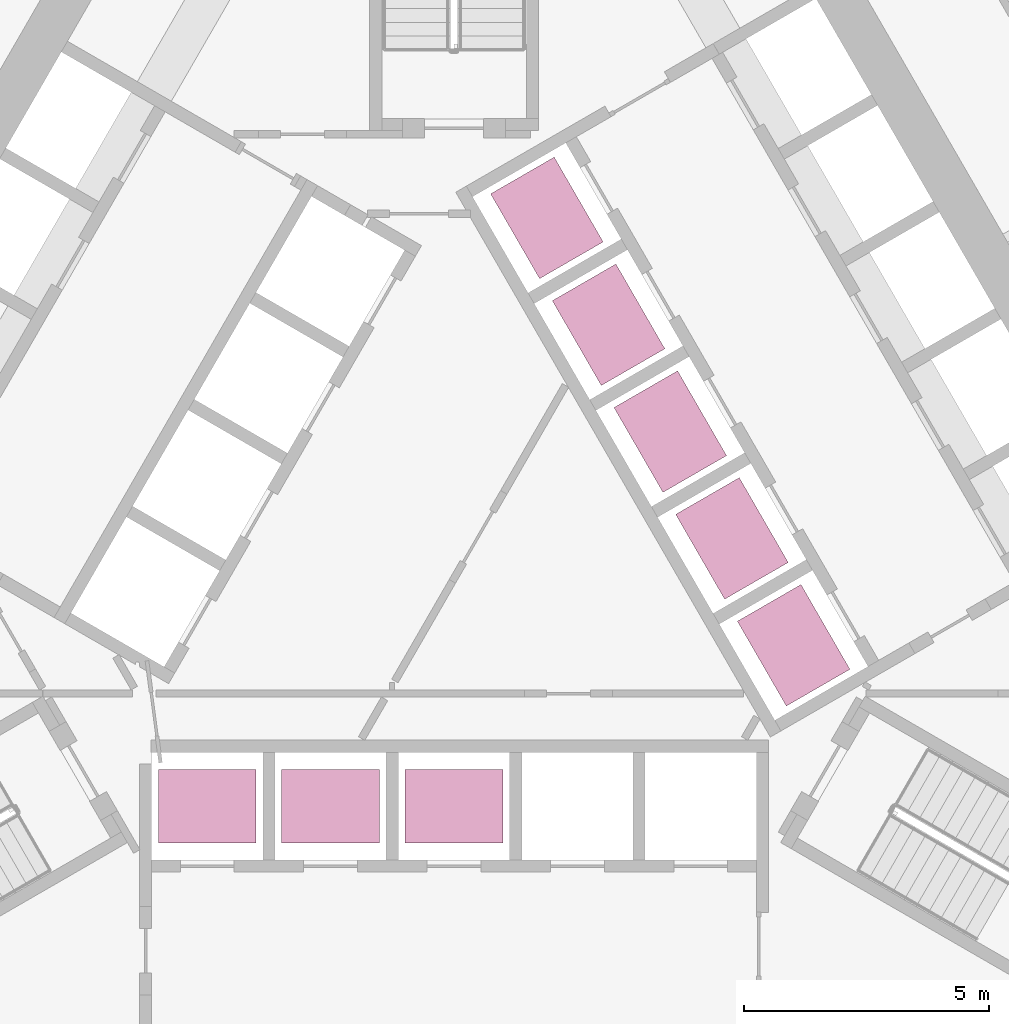
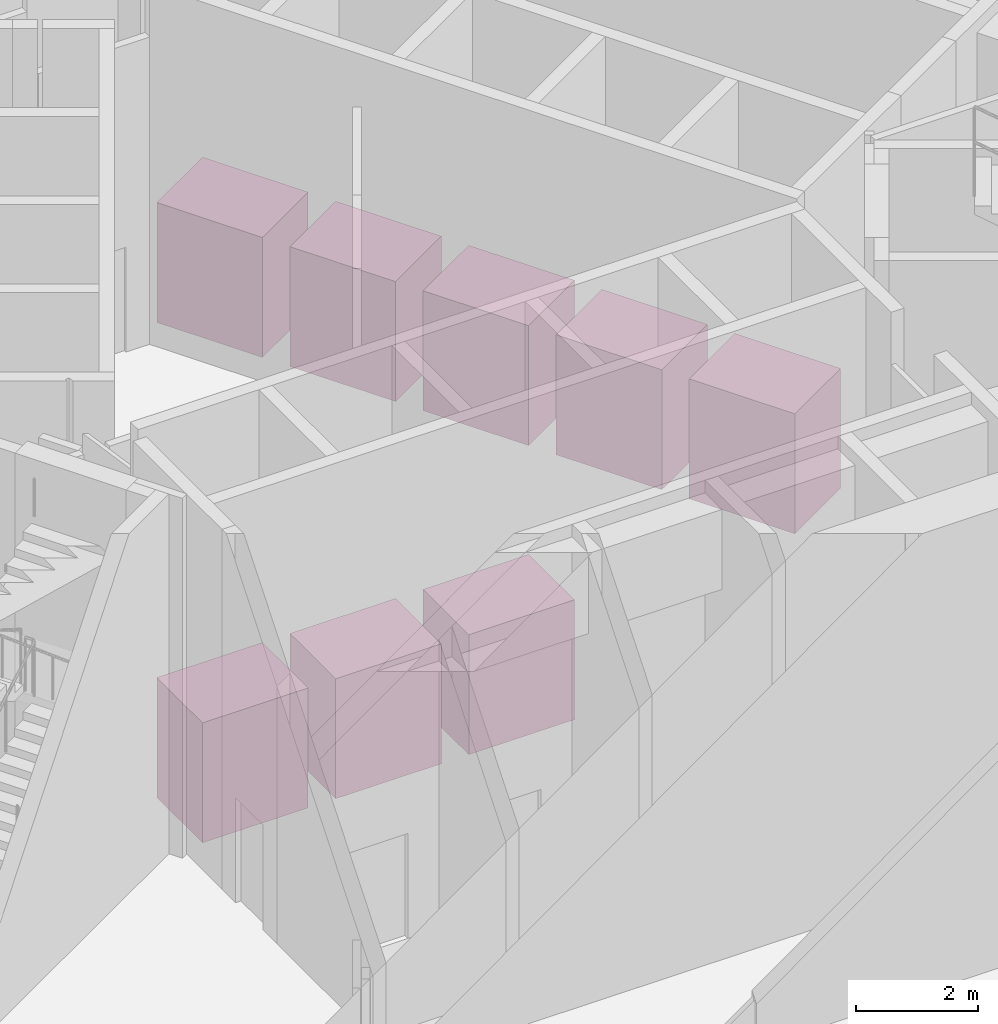
# One storey, part 33 of 33: 8 transport elements.
"""IFC4 building model written with IfcOpenShell, lengths in metres."""

from ifc_helpers import new_model, si_unit, direction, frame, origin, origin_2d, place, context, subcontext, project, spatial, rectangle, extrude, material, type_object, element, save


model = new_model("IFC4")

# Units and contexts
model_context = context("Model", 3, precision=1e-05, world=origin(), true_north=direction((0.0, 1.0)))
body_context = subcontext(model_context, "Body", "Model", "MODEL_VIEW")
ifc_project = project(units=[si_unit("LENGTHUNIT", "METRE"), si_unit("AREAUNIT", "SQUARE_METRE"), si_unit("VOLUMEUNIT", "CUBIC_METRE"), si_unit("PLANEANGLEUNIT", "RADIAN"), si_unit("MASSUNIT", "GRAM", prefix="KILO")], contexts=[model_context])

# Site, building, storey
site_placement = place(None, origin())
site = spatial("IfcSite", under=ifc_project, at=site_placement, CompositionType="ELEMENT")
building_placement = place(site_placement, origin())
building = spatial("IfcBuilding", under=site, at=building_placement, Name="Mestral Congress Tower", CompositionType="ELEMENT")
storey_placement = place(building_placement, frame((0.0, 0.0, 134.39990234375)))
storey = spatial("IfcBuildingStorey", under=building, at=storey_placement, Name="L32", CompositionType="ELEMENT", Elevation=134.39990234375)

# Transport elements
ifc_material = material(Name="Stainless steel cabin with glass panels", Category="steel")
transport_element_type = type_object("IfcTransportElementType", Name="Passenger lift car 2000x1500", PredefinedType="ELEVATOR", material=ifc_material)
for number, where, z_axis, x_axis, name in (
    (1, (6.936767578125, -1.814697265625, 0.000244140625), (0.0, 0.0, 1.0), (0.866025403784, 0.5, 0.0), "Emergency lift HR4"),
    (2, (5.6767578125, 0.36767578125, 0.000244140625), (0.0, 0.0, 1.0), (0.866025403784, 0.5, 0.0), "Emergency lift HR5"),
    (3, (4.416748046875, 2.550048828125, 0.000244140625), (0.0, 0.0, 1.0), (0.866025403784, 0.5, 0.0), "Emergency lift HR6"),
    (4, (3.15673828125, 4.732421875, 0.000244140625), (0.0, 0.0, 1.0), (0.866025403784, 0.5, 0.0), "Emergency lift HR7"),
    (5, (1.896728515625, 6.914794921875, 0.000244140625), (0.0, 0.0, 1.0), (0.866025403784, 0.5, 0.0), "Emergency lift HR8"),
    (6, (-5.0400390625, -5.10009765625, 0.000244140625), (0.0, 0.0, 1.0), (0.0, -1.0, 0.0), "Emergency lift HR1"),
    (7, (-2.52001953125, -5.10009765625, 0.000244140625), (0.0, 0.0, 1.0), (0.0, -1.0, 0.0), "Emergency lift HR2"),
    (8, (0.0, -5.10009765625, 0.000244140625), (0.0, 0.0, 1.0), (0.0, -1.0, 0.0), "Emergency lift HR3"),
):
    element("IfcTransportElement", number, at=place(storey_placement, frame(where, z_axis=z_axis, x_axis=x_axis)), inside=storey, type_object=transport_element_type, Name=name, PredefinedType="ELEVATOR", context=body_context, shape_type="SweptSolid", body=[
        extrude(rectangle(XDim=1.5, YDim=2.0, at=origin_2d()), origin(), (0.0, 0.0, 1.0), 2.39990234375),
    ])

save(model, "model.ifc")
